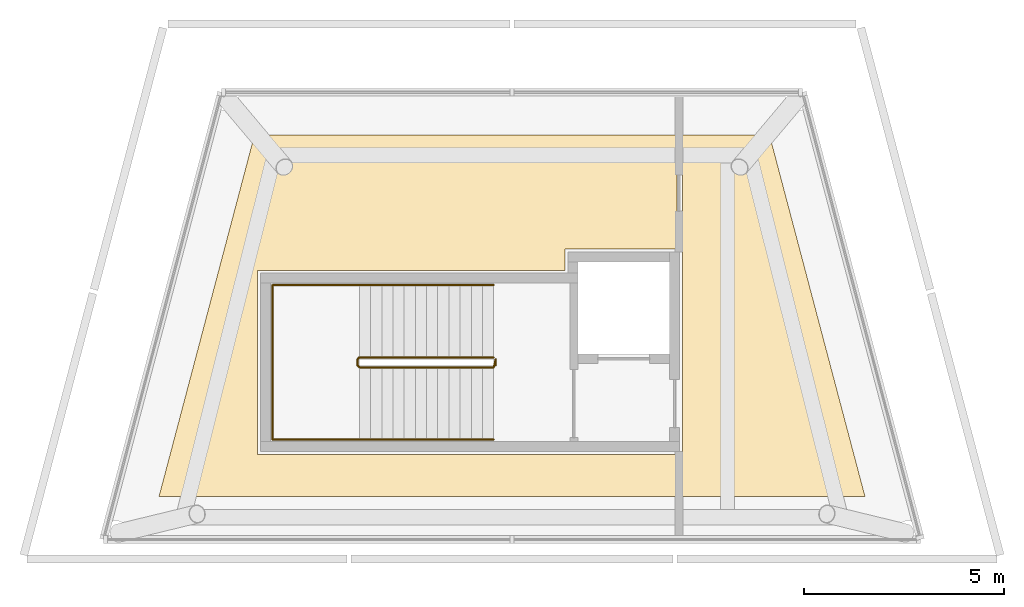
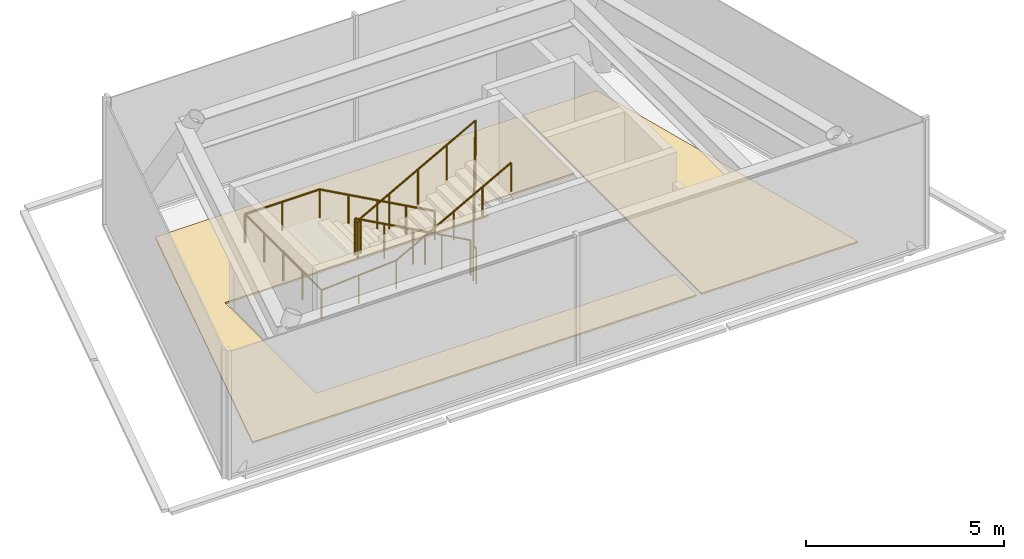
# One storey, part 3 of 3: 2 coverings, 2 railings.
"""IFC4 building model written with IfcOpenShell, lengths in metres."""

from ifc_helpers import new_model, si_unit, direction, frame, origin, origin_2d, place, context, subcontext, project, spatial, polyline, circle, outline, extrude, material, layer, layer_set, type_object, element, save


model = new_model("IFC4")

# Units and contexts
model_context = context("Model", 3, precision=1e-05, world=origin(), true_north=direction((0.0, 1.0)))
body_context = subcontext(model_context, "Body", "Model", "MODEL_VIEW")
ifc_project = project(units=[si_unit("LENGTHUNIT", "METRE"), si_unit("AREAUNIT", "SQUARE_METRE"), si_unit("VOLUMEUNIT", "CUBIC_METRE"), si_unit("PLANEANGLEUNIT", "RADIAN"), si_unit("MASSUNIT", "GRAM", prefix="KILO")], contexts=[model_context])

# Site, building, storey
site_placement = place(None, origin())
site = spatial("IfcSite", under=ifc_project, at=site_placement, CompositionType="ELEMENT")
building_placement = place(site_placement, origin())
building = spatial("IfcBuilding", under=site, at=building_placement, Name="Quipu Civic Tower", CompositionType="ELEMENT")
storey_placement = place(building_placement, frame((0.0, 0.0, 384.0)))
storey = spatial("IfcBuildingStorey", under=building, at=storey_placement, Name="L89", CompositionType="ELEMENT", Elevation=384.0)

# Coverings
ifc_material_1 = material(Name="Sealed cement screed")
ifc_layer = layer(ifc_material_1, 0.050048828125)
ifc_layer_set = layer_set([ifc_layer], Name="Sealed cement screed")
covering_type = type_object("IfcCoveringType", Name="Sealed screed floor finish 50", PredefinedType="FLOORING", material=ifc_layer_set)
covering_1_placement = place(storey_placement, origin())
element("IfcCovering", 1, at=covering_1_placement, inside=storey, type_object=covering_type, Name="Sealed screed floor finish 50", PredefinedType="FLOORING", context=body_context, shape_type="SweptSolid", body=[
    extrude(outline(polyline([(-6.449951171875, 1.47998046875), (4.1298828125, 1.47998046875), (4.1298828125, -1.3798828125), (1.330078125, -1.3798828125), (1.330078125, -1.909912109375), (-6.3701171875, -1.909912109375), (-6.3701171875, -6.52001953125), (4.1298828125, -6.52001953125), (4.1298828125, -7.580078125), (-8.843017578125, -7.580078125), (-6.449951171875, 1.47998046875)])), origin(), (0.0, 0.0, 1.0), 0.050048828125),
])
covering_2_placement = place(storey_placement, origin())
element("IfcCovering", 2, at=covering_2_placement, inside=storey, type_object=covering_type, Name="Sealed screed floor finish 50", PredefinedType="FLOORING", context=body_context, shape_type="SweptSolid", body=[
    extrude(outline(polyline([(4.27001953125, 1.47998046875), (6.449951171875, 1.47998046875), (8.843017578125, -7.580078125), (4.27001953125, -7.580078125), (4.27001953125, 1.47998046875)])), origin(), (0.0, 0.0, 1.0), 0.050048828125),
])

# Railings
ifc_material_2 = material(Name="Stainless steel", Category="steel")
railing_type_1 = type_object("IfcRailingType", Name="Stair guard 1100", PredefinedType="GUARDRAIL", material=ifc_material_2)
railing_1_placement = place(storey_placement, frame((-0.4599609375, -4.090087890625, 0.15380859375)))
element("IfcRailing", 3, at=railing_1_placement, inside=storey, type_object=railing_type_1, Name="Stair 5 guard", PredefinedType="GUARDRAIL", context=body_context, shape_type="SweptSolid", body=[
    extrude(circle(Radius=0.02392578125, at=origin_2d()), frame((0.0, 0.0, 1.076171875), z_axis=(-0.876421534553, 0.0, 0.481544695509), x_axis=(0.0, -1.0, 0.0)), (0.0, 0.0, 1.0), 3.833984375),
    extrude(circle(Radius=0.02392578125, at=origin_2d()), frame((-3.360107421875, 0.0, 2.92236328125), z_axis=(-0.708833529934, -0.705375805398, 0.0), x_axis=(0.705375805398, -0.708833529934, 0.0)), (0.0, 0.0, 1.0), 0.070556640625),
    extrude(circle(Radius=0.02392578125, at=origin_2d()), frame((-3.41015625, -0.0498046875, 2.92236328125), z_axis=(0.0, -1.0, 0.0), x_axis=(1.0, 0.0, 0.0)), (0.0, 0.0, 1.0), 0.150146484375),
    extrude(circle(Radius=0.02392578125, at=origin_2d()), frame((-3.41015625, -0.199951171875, 2.92236328125), z_axis=(0.295599637079, -0.295599637079, 0.908428152975), x_axis=(0.707106781187, 0.707106781187, 0.0)), (0.0, 0.0, 1.0), 0.16943359375),
    extrude(circle(Radius=0.02392578125, at=origin_2d()), frame((-3.360107421875, -0.25, 3.076171875), z_axis=(0.876421534553, 0.0, 0.481544695509), x_axis=(0.0, 1.0, 0.0)), (0.0, 0.0, 1.0), 3.833984375),
    extrude(circle(Radius=0.02392578125, at=origin_2d()), frame((0.0, -0.25, 4.92236328125), z_axis=(0.012495589946, 0.049982359782, -0.998671930086), x_axis=(-0.970142500145, 0.242535625036, 0.0)), (0.0, 0.0, 1.0), 4.00537109375),
    extrude(circle(Radius=0.02392578125, at=origin_2d()), frame((0.050048828125, -0.0498046875, 0.92236328125), z_axis=(0.0, -1.0, 0.0), x_axis=(1.0, 0.0, 0.0)), (0.0, 0.0, 1.0), 0.150146484375),
    extrude(circle(Radius=0.02099609375, at=origin_2d()), origin(), (0.0, 0.0, 1.0), 1.052001953125),
    extrude(circle(Radius=0.02099609375, at=origin_2d()), frame((-0.840087890625, 0.0, 0.46142578125)), (0.0, 0.0, 1.0), 1.052001953125),
    extrude(circle(Radius=0.02099609375, at=origin_2d()), frame((-1.68017578125, 0.0, 0.923095703125)), (0.0, 0.0, 1.0), 1.052001953125),
    extrude(circle(Radius=0.02099609375, at=origin_2d()), frame((-2.52001953125, 0.0, 1.384765625)), (0.0, 0.0, 1.0), 1.052001953125),
    extrude(circle(Radius=0.02099609375, at=origin_2d()), frame((-3.360107421875, 0.0, 1.84619140625)), (0.0, 0.0, 1.0), 1.052001953125),
    extrude(circle(Radius=0.02099609375, at=origin_2d()), frame((-3.41015625, -0.0498046875, 1.84619140625)), (0.0, 0.0, 1.0), 1.052001953125),
    extrude(circle(Radius=0.02099609375, at=origin_2d()), frame((-3.41015625, -0.199951171875, 1.84619140625)), (0.0, 0.0, 1.0), 1.052001953125),
    extrude(circle(Radius=0.02099609375, at=origin_2d()), frame((-3.360107421875, -0.25, 2.0)), (0.0, 0.0, 1.0), 1.052001953125),
    extrude(circle(Radius=0.02099609375, at=origin_2d()), frame((-2.52001953125, -0.25, 2.46142578125)), (0.0, 0.0, 1.0), 1.052001953125),
    extrude(circle(Radius=0.02099609375, at=origin_2d()), frame((-1.68017578125, -0.25, 2.923095703125)), (0.0, 0.0, 1.0), 1.052001953125),
    extrude(circle(Radius=0.02099609375, at=origin_2d()), frame((-0.840087890625, -0.25, 3.384765625)), (0.0, 0.0, 1.0), 1.052001953125),
    extrude(circle(Radius=0.02099609375, at=origin_2d()), frame((0.0, -0.25, 3.84619140625)), (0.0, 0.0, 1.0), 1.052001953125),
    extrude(circle(Radius=0.02099609375, at=origin_2d()), frame((0.012451171875, -0.199951171875, 2.84619140625)), (0.0, 0.0, 1.0), 1.052001953125),
    extrude(circle(Radius=0.02099609375, at=origin_2d()), frame((0.02490234375, -0.14990234375, 1.84619140625)), (0.0, 0.0, 1.0), 1.052001953125),
    extrude(circle(Radius=0.02099609375, at=origin_2d()), frame((0.03759765625, -0.099853515625, 0.84619140625)), (0.0, 0.0, 1.0), 1.052001953125),
    extrude(circle(Radius=0.02099609375, at=origin_2d()), frame((0.050048828125, -0.0498046875, -0.15380859375)), (0.0, 0.0, 1.0), 1.052001953125),
    extrude(circle(Radius=0.02099609375, at=origin_2d()), frame((0.050048828125, -0.199951171875, -0.15380859375)), (0.0, 0.0, 1.0), 1.052001953125),
])
ifc_material_3 = material(Name="Stainless steel", Category="steel")
railing_type_2 = type_object("IfcRailingType", Name="Stair handrail", PredefinedType="HANDRAIL", material=ifc_material_3)
railing_2_placement = place(storey_placement, frame((-0.4599609375, -2.280029296875, 0.15380859375)))
element("IfcRailing", 4, at=railing_2_placement, inside=storey, type_object=railing_type_2, Name="Stair 5 handrail", PredefinedType="HANDRAIL", context=body_context, shape_type="SweptSolid", body=[
    extrude(circle(Radius=0.02392578125, at=origin_2d()), frame((0.0, 0.0, 0.8759765625), z_axis=(-0.876421534553, 0.0, 0.481544695509), x_axis=(0.0, -1.0, 0.0)), (0.0, 0.0, 1.0), 3.833984375),
    extrude(circle(Radius=0.02392578125, at=origin_2d()), frame((-3.360107421875, 0.0, 2.72216796875), z_axis=(-1.0, 0.0, 0.0), x_axis=(0.0, -1.0, 0.0)), (0.0, 0.0, 1.0), 2.179931640625),
    extrude(circle(Radius=0.02392578125, at=origin_2d()), frame((-5.5400390625, 0.0, 2.72216796875), z_axis=(0.0, -1.0, 0.0), x_axis=(1.0, 0.0, 0.0)), (0.0, 0.0, 1.0), 3.869873046875),
    extrude(circle(Radius=0.02392578125, at=origin_2d()), frame((-5.5400390625, -3.869873046875, 2.72216796875), z_axis=(0.997520137335, 0.0, 0.070381642572), x_axis=(0.0, 1.0, 0.0)), (0.0, 0.0, 1.0), 2.185302734375),
    extrude(circle(Radius=0.02392578125, at=origin_2d()), frame((-3.360107421875, -3.869873046875, 2.8759765625), z_axis=(0.876421534553, 0.0, 0.481544695509), x_axis=(0.0, 1.0, 0.0)), (0.0, 0.0, 1.0), 3.833984375),
    extrude(circle(Radius=0.02099609375, at=origin_2d()), origin(), (0.0, 0.0, 1.0), 0.851806640625),
    extrude(circle(Radius=0.02099609375, at=origin_2d()), frame((-0.840087890625, 0.0, 0.46142578125)), (0.0, 0.0, 1.0), 0.851806640625),
    extrude(circle(Radius=0.02099609375, at=origin_2d()), frame((-1.68017578125, 0.0, 0.923095703125)), (0.0, 0.0, 1.0), 0.851806640625),
    extrude(circle(Radius=0.02099609375, at=origin_2d()), frame((-2.52001953125, 0.0, 1.384765625)), (0.0, 0.0, 1.0), 0.851806640625),
    extrude(circle(Radius=0.02099609375, at=origin_2d()), frame((-3.360107421875, 0.0, 1.84619140625)), (0.0, 0.0, 1.0), 0.851806640625),
    extrude(circle(Radius=0.02099609375, at=origin_2d()), frame((-4.4501953125, 0.0, 1.84619140625)), (0.0, 0.0, 1.0), 0.851806640625),
    extrude(circle(Radius=0.02099609375, at=origin_2d()), frame((-5.5400390625, 0.0, 1.84619140625)), (0.0, 0.0, 1.0), 0.851806640625),
    extrude(circle(Radius=0.02099609375, at=origin_2d()), frame((-5.5400390625, -0.967529296875, 1.84619140625)), (0.0, 0.0, 1.0), 0.851806640625),
    extrude(circle(Radius=0.02099609375, at=origin_2d()), frame((-5.5400390625, -1.93505859375, 1.84619140625)), (0.0, 0.0, 1.0), 0.851806640625),
    extrude(circle(Radius=0.02099609375, at=origin_2d()), frame((-5.5400390625, -2.90234375, 1.84619140625)), (0.0, 0.0, 1.0), 0.851806640625),
    extrude(circle(Radius=0.02099609375, at=origin_2d()), frame((-5.5400390625, -3.869873046875, 1.84619140625)), (0.0, 0.0, 1.0), 0.851806640625),
    extrude(circle(Radius=0.02099609375, at=origin_2d()), frame((-4.4501953125, -3.869873046875, 1.923095703125)), (0.0, 0.0, 1.0), 0.851806640625),
    extrude(circle(Radius=0.02099609375, at=origin_2d()), frame((-3.360107421875, -3.869873046875, 2.0)), (0.0, 0.0, 1.0), 0.851806640625),
    extrude(circle(Radius=0.02099609375, at=origin_2d()), frame((-2.52001953125, -3.869873046875, 2.46142578125)), (0.0, 0.0, 1.0), 0.851806640625),
    extrude(circle(Radius=0.02099609375, at=origin_2d()), frame((-1.68017578125, -3.869873046875, 2.923095703125)), (0.0, 0.0, 1.0), 0.851806640625),
    extrude(circle(Radius=0.02099609375, at=origin_2d()), frame((-0.840087890625, -3.869873046875, 3.384765625)), (0.0, 0.0, 1.0), 0.851806640625),
    extrude(circle(Radius=0.02099609375, at=origin_2d()), frame((0.0, -3.869873046875, 3.84619140625)), (0.0, 0.0, 1.0), 0.851806640625),
])

save(model, "model.ifc")
